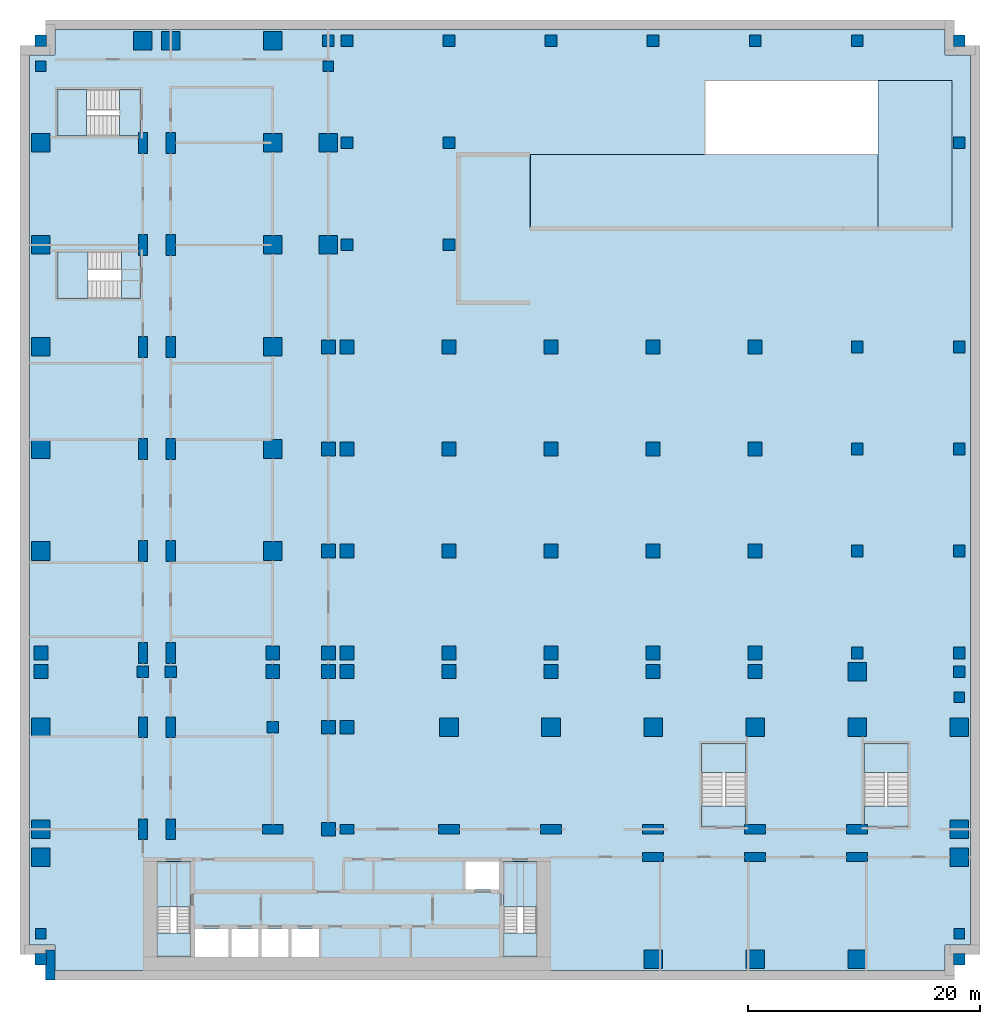
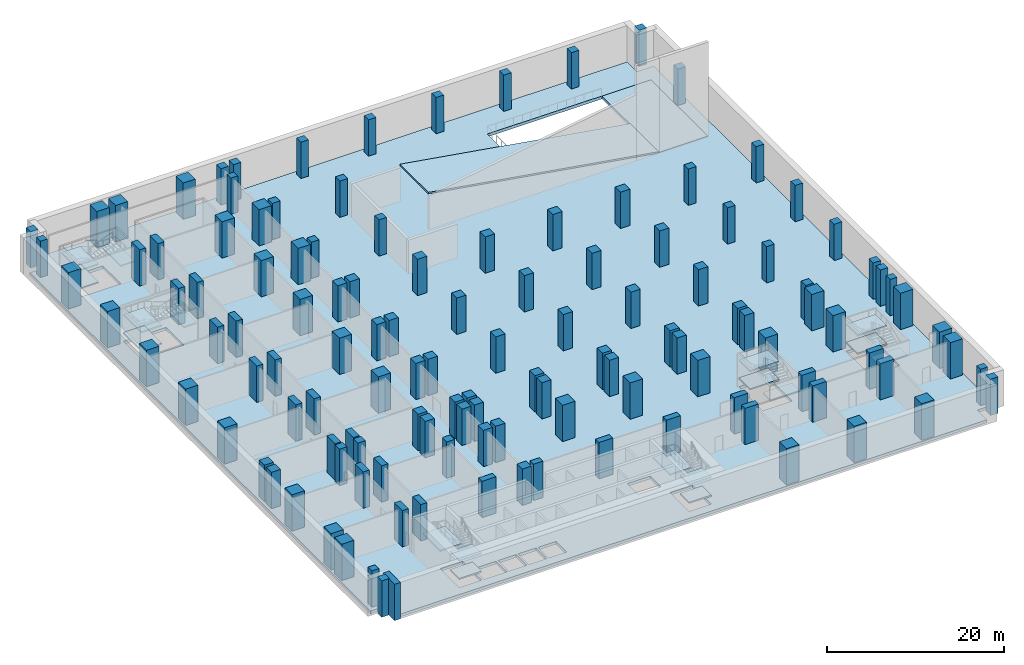
# One storey, part 1 of 12: 126 columns, 21 slabs, 1 wall, 6 elements without a shape of their own.
"""IFC4 building model written with IfcOpenShell, lengths in metres."""

from ifc_helpers import new_model, si_unit, direction, frame, frame_2d, origin, origin_2d, place, context, subcontext, project, spatial, polyline, rectangle, outline, extrude, material, layer, layer_set, material_profile, profile_set, type_object, element, aggregate, save


model = new_model("IFC4")

# Units and contexts
model_context = context("Model", 3, precision=1e-05, world=origin(), true_north=direction((0.0, 1.0)))
body_context = subcontext(model_context, "Body", "Model", "MODEL_VIEW")
ifc_project = project(units=[si_unit("LENGTHUNIT", "METRE"), si_unit("AREAUNIT", "SQUARE_METRE"), si_unit("VOLUMEUNIT", "CUBIC_METRE"), si_unit("PLANEANGLEUNIT", "RADIAN"), si_unit("MASSUNIT", "GRAM", prefix="KILO")], contexts=[model_context])

# Site, building, storey
site_placement = place(None, origin())
site = spatial("IfcSite", under=ifc_project, at=site_placement, CompositionType="ELEMENT")
building_placement = place(site_placement, origin())
building = spatial("IfcBuilding", under=site, at=building_placement, Name="Kemantara Hotel Tower", CompositionType="ELEMENT")
storey_placement = place(building_placement, frame((0.0, 0.0, -12.0)))
storey = spatial("IfcBuildingStorey", under=building, at=storey_placement, Name="B2", CompositionType="ELEMENT", Elevation=-12.0)

# Columns
ifc_material_1 = material(Name="Concrete fc 70 MPa", Category="concrete")
ifc_material_profile_1 = material_profile(ifc_material_1, rectangle(XDim=1.0, YDim=1.0, at=origin_2d()), Name="RC 1000X1000")
ifc_profile_set_1 = profile_set([ifc_material_profile_1], Name="Concrete fc 70 MPa")
column_type_1 = type_object("IfcColumnType", Name="RC COLUMN 1000X1000 FC70", PredefinedType="COLUMN", material=ifc_profile_set_1)
for number, where, z_axis, x_axis, name in (
    (1, (1.0, 1.0, 0.0), (0.0, 0.0, 1.0), (1.0, 0.0, 0.0), "COLUMN 1/A B2"),
    (2, (1.0, 80.199951171875, 0.0), (0.0, 0.0, 1.0), (1.0, 0.0, 0.0), "COLUMN 1/K B2"),
    (3, (9.800048828125, 25.800048828125, 0.0), (0.0, 0.0, 1.0), (1.0, 0.0, 0.0), "COLUMN 2/CA B2"),
    (4, (12.199951171875, 25.800048828125, 0.0), (0.0, 0.0, 1.0), (1.0, 0.0, 0.0), "COLUMN 2A/CA B2"),
    (5, (21.0, 21.0, 0.0), (0.0, 0.0, 1.0), (1.0, 0.0, 0.0), "COLUMN 3/C B2"),
    (6, (25.800048828125, 80.199951171875, 0.0), (0.0, 0.0, 1.0), (1.0, 0.0, 0.0), "COLUMN 3A/K B2"),
    (7, (27.39990234375, 62.60009765625, 0.0), (0.0, 0.0, 1.0), (1.0, 0.0, 0.0), "COLUMN 4/H B2"),
    (8, (27.39990234375, 71.39990234375, 0.0), (0.0, 0.0, 1.0), (1.0, 0.0, 0.0), "COLUMN 4/J B2"),
    (9, (27.39990234375, 80.199951171875, 0.0), (0.0, 0.0, 1.0), (1.0, 0.0, 0.0), "COLUMN 4/K B2"),
    (10, (36.199951171875, 62.60009765625, 0.0), (0.0, 0.0, 1.0), (1.0, 0.0, 0.0), "COLUMN 5/H B2"),
    (11, (36.199951171875, 71.39990234375, 0.0), (0.0, 0.0, 1.0), (1.0, 0.0, 0.0), "COLUMN 5/J B2"),
    (12, (36.199951171875, 80.199951171875, 0.0), (0.0, 0.0, 1.0), (1.0, 0.0, 0.0), "COLUMN 5/K B2"),
    (13, (45.0, 80.199951171875, 0.0), (0.0, 0.0, 1.0), (1.0, 0.0, 0.0), "COLUMN 6/K B2"),
    (14, (53.800048828125, 80.199951171875, 0.0), (0.0, 0.0, 1.0), (1.0, 0.0, 0.0), "COLUMN 7/K B2"),
    (15, (62.60009765625, 80.199951171875, 0.0), (0.0, 0.0, 1.0), (1.0, 0.0, 0.0), "COLUMN 8/K B2"),
    (16, (71.39990234375, 27.39990234375, 0.0), (0.0, 0.0, 1.0), (1.0, 0.0, 0.0), "COLUMN 9/D B2"),
    (17, (71.39990234375, 36.199951171875, 0.0), (0.0, 0.0, 1.0), (1.0, 0.0, 0.0), "COLUMN 9/E B2"),
    (18, (71.39990234375, 45.0, 0.0), (0.0, 0.0, 1.0), (1.0, 0.0, 0.0), "COLUMN 9/F B2"),
    (19, (71.39990234375, 53.800048828125, 0.0), (0.0, 0.0, 1.0), (1.0, 0.0, 0.0), "COLUMN 9/G B2"),
    (20, (71.39990234375, 80.199951171875, 0.0), (0.0, 0.0, 1.0), (1.0, 0.0, 0.0), "COLUMN 9/K B2"),
    (21, (80.199951171875, 1.0, 0.0), (0.0, 0.0, 1.0), (1.0, 0.0, 0.0), "COLUMN 10/A B2"),
    (22, (80.199951171875, 25.800048828125, 0.0), (0.0, 0.0, 1.0), (1.0, 0.0, 0.0), "COLUMN 10/CA B2"),
    (23, (80.199951171875, 27.39990234375, 0.0), (0.0, 0.0, 1.0), (1.0, 0.0, 0.0), "COLUMN 10/D B2"),
    (24, (80.199951171875, 36.199951171875, 0.0), (0.0, 0.0, 1.0), (1.0, 0.0, 0.0), "COLUMN 10/E B2"),
    (25, (80.199951171875, 45.0, 0.0), (0.0, 0.0, 1.0), (1.0, 0.0, 0.0), "COLUMN 10/F B2"),
    (26, (80.199951171875, 53.800048828125, 0.0), (0.0, 0.0, 1.0), (1.0, 0.0, 0.0), "COLUMN 10/G B2"),
    (27, (80.199951171875, 71.39990234375, 0.0), (0.0, 0.0, 1.0), (1.0, 0.0, 0.0), "COLUMN 10/J B2"),
    (28, (80.199951171875, 80.199951171875, 0.0), (0.0, 0.0, 1.0), (1.0, 0.0, 0.0), "COLUMN 10/K B2"),
):
    element("IfcColumn", number, at=place(storey_placement, frame(where, z_axis=z_axis, x_axis=x_axis)), inside=storey, type_object=column_type_1, Name=name, PredefinedType="COLUMN", context=body_context, shape_type="SweptSolid", body=[
        extrude(rectangle(XDim=1.0, YDim=1.0, at=origin_2d()), origin(), (0.0, 0.0, 1.0), 5.0),
    ])
ifc_material_profile_2 = material_profile(ifc_material_1, rectangle(XDim=1.199951171875, YDim=1.199951171875, at=origin_2d()), Name="RC 1200X1200")
ifc_profile_set_2 = profile_set([ifc_material_profile_2], Name="Concrete fc 70 MPa")
column_type_2 = type_object("IfcColumnType", Name="RC COLUMN 1200X1200 FC70", PredefinedType="COLUMN", material=ifc_profile_set_2)
for number, where, z_axis, x_axis, name in (
    (29, (1.0, 25.800048828125, 0.0), (0.0, 0.0, 1.0), (1.0, 0.0, 0.0), "COLUMN 1/CA B2"),
    (30, (1.0, 27.39990234375, 0.0), (0.0, 0.0, 1.0), (1.0, 0.0, 0.0), "COLUMN 1/D B2"),
    (31, (21.0, 25.800048828125, 0.0), (0.0, 0.0, 1.0), (1.0, 0.0, 0.0), "COLUMN 3/CA B2"),
    (32, (21.0, 27.39990234375, 0.0), (0.0, 0.0, 1.0), (1.0, 0.0, 0.0), "COLUMN 3/D B2"),
    (33, (25.800048828125, 12.199951171875, 0.0), (0.0, 0.0, 1.0), (1.0, 0.0, 0.0), "COLUMN 3A/BA B2"),
    (34, (25.800048828125, 21.0, 0.0), (0.0, 0.0, 1.0), (1.0, 0.0, 0.0), "COLUMN 3A/C B2"),
    (35, (25.800048828125, 25.800048828125, 0.0), (0.0, 0.0, 1.0), (1.0, 0.0, 0.0), "COLUMN 3A/CA B2"),
    (36, (25.800048828125, 27.39990234375, 0.0), (0.0, 0.0, 1.0), (1.0, 0.0, 0.0), "COLUMN 3A/D B2"),
    (37, (25.800048828125, 36.199951171875, 0.0), (0.0, 0.0, 1.0), (1.0, 0.0, 0.0), "COLUMN 3A/E B2"),
    (38, (25.800048828125, 45.0, 0.0), (0.0, 0.0, 1.0), (1.0, 0.0, 0.0), "COLUMN 3A/F B2"),
    (39, (25.800048828125, 53.800048828125, 0.0), (0.0, 0.0, 1.0), (1.0, 0.0, 0.0), "COLUMN 3A/G B2"),
    (40, (27.39990234375, 21.0, 0.0), (0.0, 0.0, 1.0), (1.0, 0.0, 0.0), "COLUMN 4/C B2"),
    (41, (27.39990234375, 25.800048828125, 0.0), (0.0, 0.0, 1.0), (1.0, 0.0, 0.0), "COLUMN 4/CA B2"),
    (42, (27.39990234375, 27.39990234375, 0.0), (0.0, 0.0, 1.0), (1.0, 0.0, 0.0), "COLUMN 4/D B2"),
    (43, (27.39990234375, 36.199951171875, 0.0), (0.0, 0.0, 1.0), (1.0, 0.0, 0.0), "COLUMN 4/E B2"),
    (44, (27.39990234375, 45.0, 0.0), (0.0, 0.0, 1.0), (1.0, 0.0, 0.0), "COLUMN 4/F B2"),
    (45, (27.39990234375, 53.800048828125, 0.0), (0.0, 0.0, 1.0), (1.0, 0.0, 0.0), "COLUMN 4/G B2"),
    (46, (36.199951171875, 25.800048828125, 0.0), (0.0, 0.0, 1.0), (1.0, 0.0, 0.0), "COLUMN 5/CA B2"),
    (47, (36.199951171875, 27.39990234375, 0.0), (0.0, 0.0, 1.0), (1.0, 0.0, 0.0), "COLUMN 5/D B2"),
    (48, (36.199951171875, 36.199951171875, 0.0), (0.0, 0.0, 1.0), (1.0, 0.0, 0.0), "COLUMN 5/E B2"),
    (49, (36.199951171875, 45.0, 0.0), (0.0, 0.0, 1.0), (1.0, 0.0, 0.0), "COLUMN 5/F B2"),
    (50, (36.199951171875, 53.800048828125, 0.0), (0.0, 0.0, 1.0), (1.0, 0.0, 0.0), "COLUMN 5/G B2"),
    (51, (45.0, 25.800048828125, 0.0), (0.0, 0.0, 1.0), (1.0, 0.0, 0.0), "COLUMN 6/CA B2"),
    (52, (45.0, 27.39990234375, 0.0), (0.0, 0.0, 1.0), (1.0, 0.0, 0.0), "COLUMN 6/D B2"),
    (53, (45.0, 36.199951171875, 0.0), (0.0, 0.0, 1.0), (1.0, 0.0, 0.0), "COLUMN 6/E B2"),
    (54, (45.0, 45.0, 0.0), (0.0, 0.0, 1.0), (1.0, 0.0, 0.0), "COLUMN 6/F B2"),
    (55, (45.0, 53.800048828125, 0.0), (0.0, 0.0, 1.0), (1.0, 0.0, 0.0), "COLUMN 6/G B2"),
    (56, (53.800048828125, 25.800048828125, 0.0), (0.0, 0.0, 1.0), (1.0, 0.0, 0.0), "COLUMN 7/CA B2"),
    (57, (53.800048828125, 27.39990234375, 0.0), (0.0, 0.0, 1.0), (1.0, 0.0, 0.0), "COLUMN 7/D B2"),
    (58, (53.800048828125, 36.199951171875, 0.0), (0.0, 0.0, 1.0), (1.0, 0.0, 0.0), "COLUMN 7/E B2"),
    (59, (53.800048828125, 45.0, 0.0), (0.0, 0.0, 1.0), (1.0, 0.0, 0.0), "COLUMN 7/F B2"),
    (60, (53.800048828125, 53.800048828125, 0.0), (0.0, 0.0, 1.0), (1.0, 0.0, 0.0), "COLUMN 7/G B2"),
    (61, (62.60009765625, 25.800048828125, 0.0), (0.0, 0.0, 1.0), (1.0, 0.0, 0.0), "COLUMN 8/CA B2"),
    (62, (62.60009765625, 27.39990234375, 0.0), (0.0, 0.0, 1.0), (1.0, 0.0, 0.0), "COLUMN 8/D B2"),
    (63, (62.60009765625, 36.199951171875, 0.0), (0.0, 0.0, 1.0), (1.0, 0.0, 0.0), "COLUMN 8/E B2"),
    (64, (62.60009765625, 45.0, 0.0), (0.0, 0.0, 1.0), (1.0, 0.0, 0.0), "COLUMN 8/F B2"),
    (65, (62.60009765625, 53.800048828125, 0.0), (0.0, 0.0, 1.0), (1.0, 0.0, 0.0), "COLUMN 8/G B2"),
):
    element("IfcColumn", number, at=place(storey_placement, frame(where, z_axis=z_axis, x_axis=x_axis)), inside=storey, type_object=column_type_2, Name=name, PredefinedType="COLUMN", context=body_context, shape_type="SweptSolid", body=[
        extrude(rectangle(XDim=1.199951171875, YDim=1.199951171875, at=origin_2d()), origin(), (0.0, 0.0, 1.0), 5.0),
    ])
ifc_material_profile_3 = material_profile(ifc_material_1, rectangle(XDim=1.199951171875, YDim=0.800048828125, at=origin_2d()), Name="RC 1200X800")
ifc_profile_set_3 = profile_set([ifc_material_profile_3], Name="Concrete fc 70 MPa")
column_type_3 = type_object("IfcColumnType", Name="RC COLUMN 1200X800 FC70", PredefinedType="COLUMN", material=ifc_profile_set_3)
column_placement = place(storey_placement, frame((27.39990234375, 12.199951171875, 0.0), z_axis=(0.0, 0.0, 1.0), x_axis=(1.0, 0.0, 0.0)))
element("IfcColumn", 66, at=column_placement, inside=storey, type_object=column_type_3, Name="COLUMN 4/BA B2", PredefinedType="COLUMN", context=body_context, shape_type="SweptSolid", body=[
    extrude(rectangle(XDim=1.199951171875, YDim=0.800048828125, at=origin_2d()), origin(), (0.0, 0.0, 1.0), 5.0),
])
ifc_material_profile_4 = material_profile(ifc_material_1, rectangle(XDim=1.60009765625, YDim=1.60009765625, at=origin_2d()), Name="RC 1600X1600")
ifc_profile_set_4 = profile_set([ifc_material_profile_4], Name="Concrete fc 70 MPa")
column_type_4 = type_object("IfcColumnType", Name="RC COLUMN 1600X1600 FC70", PredefinedType="COLUMN", material=ifc_profile_set_4)
for number, where, z_axis, x_axis, name in (
    (67, (1.0, 9.800048828125, 0.0), (0.0, 0.0, 1.0), (1.0, 0.0, 0.0), "COLUMN 1/B B2"),
    (68, (1.0, 12.199951171875, 0.0), (0.0, 0.0, 1.0), (1.0, 0.0, 0.0), "COLUMN 1/BA B2"),
    (69, (1.0, 21.0, 0.0), (0.0, 0.0, 1.0), (1.0, 0.0, 0.0), "COLUMN 1/C B2"),
    (70, (1.0, 36.199951171875, 0.0), (0.0, 0.0, 1.0), (1.0, 0.0, 0.0), "COLUMN 1/E B2"),
    (71, (1.0, 45.0, 0.0), (0.0, 0.0, 1.0), (1.0, 0.0, 0.0), "COLUMN 1/F B2"),
    (72, (1.0, 53.800048828125, 0.0), (0.0, 0.0, 1.0), (1.0, 0.0, 0.0), "COLUMN 1/G B2"),
    (73, (1.0, 62.60009765625, 0.0), (0.0, 0.0, 1.0), (1.0, 0.0, 0.0), "COLUMN 1/H B2"),
    (74, (1.0, 71.39990234375, 0.0), (0.0, 0.0, 1.0), (1.0, 0.0, 0.0), "COLUMN 1/J B2"),
    (75, (9.800048828125, 80.199951171875, 0.0), (0.0, 0.0, 1.0), (1.0, 0.0, 0.0), "COLUMN 2/K B2"),
    (76, (12.199951171875, 80.199951171875, 0.0), (0.0, 0.0, 1.0), (1.0, 0.0, 0.0), "COLUMN 2A/K B2"),
    (77, (21.0, 36.199951171875, 0.0), (0.0, 0.0, 1.0), (1.0, 0.0, 0.0), "COLUMN 3/E B2"),
    (78, (21.0, 45.0, 0.0), (0.0, 0.0, 1.0), (1.0, 0.0, 0.0), "COLUMN 3/F B2"),
    (79, (21.0, 53.800048828125, 0.0), (0.0, 0.0, 1.0), (1.0, 0.0, 0.0), "COLUMN 3/G B2"),
    (80, (21.0, 62.60009765625, 0.0), (0.0, 0.0, 1.0), (1.0, 0.0, 0.0), "COLUMN 3/H B2"),
    (81, (21.0, 71.39990234375, 0.0), (0.0, 0.0, 1.0), (1.0, 0.0, 0.0), "COLUMN 3/J B2"),
    (82, (21.0, 80.199951171875, 0.0), (0.0, 0.0, 1.0), (1.0, 0.0, 0.0), "COLUMN 3/K B2"),
    (83, (25.800048828125, 62.60009765625, 0.0), (0.0, 0.0, 1.0), (1.0, 0.0, 0.0), "COLUMN 3A/H B2"),
    (84, (25.800048828125, 71.39990234375, 0.0), (0.0, 0.0, 1.0), (1.0, 0.0, 0.0), "COLUMN 3A/J B2"),
    (85, (36.199951171875, 21.0, 0.0), (0.0, 0.0, 1.0), (1.0, 0.0, 0.0), "COLUMN 5/C B2"),
    (86, (45.0, 21.0, 0.0), (0.0, 0.0, 1.0), (1.0, 0.0, 0.0), "COLUMN 6/C B2"),
    (87, (53.800048828125, 1.0, 0.0), (0.0, 0.0, 1.0), (1.0, 0.0, 0.0), "COLUMN 7/A B2"),
    (88, (53.800048828125, 21.0, 0.0), (0.0, 0.0, 1.0), (1.0, 0.0, 0.0), "COLUMN 7/C B2"),
    (89, (62.60009765625, 1.0, 0.0), (0.0, 0.0, 1.0), (1.0, 0.0, 0.0), "COLUMN 8/A B2"),
    (90, (62.60009765625, 21.0, 0.0), (0.0, 0.0, 1.0), (1.0, 0.0, 0.0), "COLUMN 8/C B2"),
    (91, (71.39990234375, 1.0, 0.0), (0.0, 0.0, 1.0), (1.0, 0.0, 0.0), "COLUMN 9/A B2"),
    (92, (71.39990234375, 21.0, 0.0), (0.0, 0.0, 1.0), (1.0, 0.0, 0.0), "COLUMN 9/C B2"),
    (93, (71.39990234375, 25.800048828125, 0.0), (0.0, 0.0, 1.0), (1.0, 0.0, 0.0), "COLUMN 9/CA B2"),
    (94, (80.199951171875, 9.800048828125, 0.0), (0.0, 0.0, 1.0), (1.0, 0.0, 0.0), "COLUMN 10/B B2"),
    (95, (80.199951171875, 12.199951171875, 0.0), (0.0, 0.0, 1.0), (1.0, 0.0, 0.0), "COLUMN 10/BA B2"),
    (96, (80.199951171875, 21.0, 0.0), (0.0, 0.0, 1.0), (1.0, 0.0, 0.0), "COLUMN 10/C B2"),
):
    element("IfcColumn", number, at=place(storey_placement, frame(where, z_axis=z_axis, x_axis=x_axis)), inside=storey, type_object=column_type_4, Name=name, PredefinedType="COLUMN", context=body_context, shape_type="SweptSolid", body=[
        extrude(rectangle(XDim=1.60009765625, YDim=1.60009765625, at=origin_2d()), origin(), (0.0, 0.0, 1.0), 5.0),
    ])
ifc_material_profile_5 = material_profile(ifc_material_1, rectangle(XDim=1.800048828125, YDim=0.800048828125, at=origin_2d()), Name="RC 1800X800")
ifc_profile_set_5 = profile_set([ifc_material_profile_5], Name="Concrete fc 70 MPa")
column_type_5 = type_object("IfcColumnType", Name="RC COLUMN 1800X800 FC70", PredefinedType="COLUMN", material=ifc_profile_set_5)
for number, where, z_axis, x_axis, name in (
    (97, (9.800048828125, 12.199951171875, 0.0), (0.0, 0.0, 1.0), (0.0, 1.0, 0.0), "COLUMN 2/BA B2"),
    (98, (9.800048828125, 21.0, 0.0), (0.0, 0.0, 1.0), (0.0, 1.0, 0.0), "COLUMN 2/C B2"),
    (99, (9.800048828125, 27.39990234375, 0.0), (0.0, 0.0, 1.0), (0.0, 1.0, 0.0), "COLUMN 2/D B2"),
    (100, (9.800048828125, 36.199951171875, 0.0), (0.0, 0.0, 1.0), (0.0, 1.0, 0.0), "COLUMN 2/E B2"),
    (101, (9.800048828125, 45.0, 0.0), (0.0, 0.0, 1.0), (0.0, 1.0, 0.0), "COLUMN 2/F B2"),
    (102, (9.800048828125, 53.800048828125, 0.0), (0.0, 0.0, 1.0), (0.0, 1.0, 0.0), "COLUMN 2/G B2"),
    (103, (9.800048828125, 62.60009765625, 0.0), (0.0, 0.0, 1.0), (0.0, 1.0, 0.0), "COLUMN 2/H B2"),
    (104, (9.800048828125, 71.39990234375, 0.0), (0.0, 0.0, 1.0), (0.0, 1.0, 0.0), "COLUMN 2/J B2"),
    (105, (12.199951171875, 12.199951171875, 0.0), (0.0, 0.0, 1.0), (0.0, 1.0, 0.0), "COLUMN 2A/BA B2"),
    (106, (12.199951171875, 21.0, 0.0), (0.0, 0.0, 1.0), (0.0, 1.0, 0.0), "COLUMN 2A/C B2"),
    (107, (12.199951171875, 27.39990234375, 0.0), (0.0, 0.0, 1.0), (0.0, 1.0, 0.0), "COLUMN 2A/D B2"),
    (108, (12.199951171875, 36.199951171875, 0.0), (0.0, 0.0, 1.0), (0.0, 1.0, 0.0), "COLUMN 2A/E B2"),
    (109, (12.199951171875, 45.0, 0.0), (0.0, 0.0, 1.0), (0.0, 1.0, 0.0), "COLUMN 2A/F B2"),
    (110, (12.199951171875, 53.800048828125, 0.0), (0.0, 0.0, 1.0), (0.0, 1.0, 0.0), "COLUMN 2A/G B2"),
    (111, (12.199951171875, 62.60009765625, 0.0), (0.0, 0.0, 1.0), (0.0, 1.0, 0.0), "COLUMN 2A/H B2"),
    (112, (12.199951171875, 71.39990234375, 0.0), (0.0, 0.0, 1.0), (0.0, 1.0, 0.0), "COLUMN 2A/J B2"),
    (113, (21.0, 12.199951171875, 0.0), (0.0, 0.0, 1.0), (1.0, 0.0, 0.0), "COLUMN 3/BA B2"),
    (114, (36.199951171875, 12.199951171875, 0.0), (0.0, 0.0, 1.0), (1.0, 0.0, 0.0), "COLUMN 5/BA B2"),
    (115, (45.0, 12.199951171875, 0.0), (0.0, 0.0, 1.0), (1.0, 0.0, 0.0), "COLUMN 6/BA B2"),
    (116, (53.800048828125, 9.800048828125, 0.0), (0.0, 0.0, 1.0), (1.0, 0.0, 0.0), "COLUMN 7/B B2"),
    (117, (53.800048828125, 12.199951171875, 0.0), (0.0, 0.0, 1.0), (1.0, 0.0, 0.0), "COLUMN 7/BA B2"),
    (118, (62.60009765625, 9.800048828125, 0.0), (0.0, 0.0, 1.0), (1.0, 0.0, 0.0), "COLUMN 8/B B2"),
    (119, (62.60009765625, 12.199951171875, 0.0), (0.0, 0.0, 1.0), (1.0, 0.0, 0.0), "COLUMN 8/BA B2"),
    (120, (71.39990234375, 9.800048828125, 0.0), (0.0, 0.0, 1.0), (1.0, 0.0, 0.0), "COLUMN 9/B B2"),
    (121, (71.39990234375, 12.199951171875, 0.0), (0.0, 0.0, 1.0), (1.0, 0.0, 0.0), "COLUMN 9/BA B2"),
):
    element("IfcColumn", number, at=place(storey_placement, frame(where, z_axis=z_axis, x_axis=x_axis)), inside=storey, type_object=column_type_5, Name=name, PredefinedType="COLUMN", context=body_context, shape_type="SweptSolid", body=[
        extrude(rectangle(XDim=1.800048828125, YDim=0.800048828125, at=origin_2d()), origin(), (0.0, 0.0, 1.0), 5.0),
    ])
ifc_material_profile_6 = material_profile(ifc_material_1, rectangle(XDim=0.89990234375, YDim=0.89990234375, at=origin_2d()), Name="RC 900X900")
ifc_profile_set_6 = profile_set([ifc_material_profile_6], Name="Concrete fc 70 MPa")
column_type_6 = type_object("IfcColumnType", Name="RC COLUMN 900X900 FC70", PredefinedType="COLUMN", material=ifc_profile_set_6)
for number, where, z_axis, x_axis, name in (
    (122, (1.0, 3.199951171875, 0.0), (0.0, 0.0, 1.0), (1.0, 0.0, 0.0), "COLUMN notch corner B2"),
    (123, (1.0, 78.0, 0.0), (0.0, 0.0, 1.0), (1.0, 0.0, 0.0), "COLUMN notch corner B2"),
    (124, (25.800048828125, 78.0, 0.0), (0.0, 0.0, 1.0), (1.0, 0.0, 0.0), "COLUMN notch corner B2"),
    (125, (80.199951171875, 3.199951171875, 0.0), (0.0, 0.0, 1.0), (1.0, 0.0, 0.0), "COLUMN notch corner B2"),
    (126, (80.199951171875, 23.60009765625, 0.0), (0.0, 0.0, 1.0), (1.0, 0.0, 0.0), "COLUMN notch corner B2"),
):
    element("IfcColumn", number, at=place(storey_placement, frame(where, z_axis=z_axis, x_axis=x_axis)), inside=storey, type_object=column_type_6, Name=name, PredefinedType="COLUMN", context=body_context, shape_type="SweptSolid", body=[
        extrude(rectangle(XDim=0.89990234375, YDim=0.89990234375, at=origin_2d()), origin(), (0.0, 0.0, 1.0), 5.0),
    ])

# Slabs
ifc_material_2 = material(Name="Concrete fc 40 MPa", Category="concrete")
ifc_layer_1 = layer(ifc_material_2, 0.199951171875)
ifc_layer_set_1 = layer_set([ifc_layer_1], Name="Concrete fc 40 MPa")
slab_type_1 = type_object("IfcSlabType", Name="CAR RAMP SLAB 200", PredefinedType="FLOOR", material=ifc_layer_set_1)
slab_1_placement = place(storey_placement, frame((43.2333984375, 64.0, 5.0), z_axis=(0.161048303818, 0.0, 0.986946525318), x_axis=(0.986946525318, 0.0, -0.161048303818)))
element("IfcSlab", 127, at=slab_1_placement, inside=storey, type_object=slab_type_1, Name="CAR RAMP SLAB", PredefinedType="FLOOR", context=body_context, shape_type="SweptSolid", body=[
    extrude(outline(polyline([(0.0, 0.0), (30.362894002510366, 0.0), (30.362894002510366, 6.39990234375), (0.0, 6.39990234375), (0.0, 0.0)])), origin(), (0.0, 0.0, -1.0), 0.199951171875),
])
ifc_layer_2 = layer(ifc_material_2, 0.35009765625)
ifc_layer_set_2 = layer_set([ifc_layer_2], Name="Concrete fc 40 MPa")
slab_type_2 = type_object("IfcSlabType", Name="RAMP LANDING SLAB 350", PredefinedType="LANDING", material=ifc_layer_set_2)
slab_2_placement = place(storey_placement, frame((0.0, 0.0, -0.35009765625)))
element("IfcSlab", 128, at=slab_2_placement, inside=storey, type_object=slab_type_2, Name="RAMP LANDING", PredefinedType="LANDING", context=body_context, shape_type="SweptSolid", body=[
    extrude(outline(polyline([(73.199951171875, 64.0), (79.60009765625, 64.0), (79.60009765625, 76.800048828125), (73.199951171875, 76.800048828125), (73.199951171875, 64.0)])), origin(), (0.0, 0.0, 1.0), 0.35009765625),
])
ifc_layer_3 = layer(ifc_material_2, 0.39990234375)
ifc_layer_set_3 = layer_set([ifc_layer_3], Name="Concrete fc 40 MPa")
slab_type_3 = type_object("IfcSlabType", Name="REINFORCED DECK SLAB 400", PredefinedType="FLOOR", material=ifc_layer_set_3)
slab_3_placement = place(storey_placement, frame((0.0, 0.0, -0.39990234375)))
element("IfcSlab", 129, at=slab_3_placement, inside=storey, type_object=slab_type_3, Name="FLOOR SLAB B2", PredefinedType="FLOOR", context=body_context, shape_type="SweptSolid", body=[
    extrude(outline(polyline([(81.199951171875, 2.199951171875), (81.199951171875, 79.0), (79.0, 79.0), (79.0, 81.199951171875), (2.199951171875, 81.199951171875), (2.199951171875, 79.0), (0.0, 79.0), (0.0, 2.199951171875), (2.199951171875, 2.199951171875), (2.199951171875, 0.0), (79.0, 0.0), (79.0, 2.199951171875), (81.199951171875, 2.199951171875)]), holes=[polyline([(17.175048828125, 3.60009765625), (17.175048828125, 1.199951171875), (14.22509765625, 1.199951171875), (14.22509765625, 3.60009765625), (17.175048828125, 3.60009765625)]), polyline([(19.77490234375, 1.199951171875), (17.425048828125, 1.199951171875), (17.425048828125, 3.60009765625), (19.77490234375, 3.60009765625), (19.77490234375, 1.199951171875)]), polyline([(22.375, 1.199951171875), (20.02490234375, 1.199951171875), (20.02490234375, 3.60009765625), (22.375, 3.60009765625), (22.375, 1.199951171875)]), polyline([(24.97509765625, 3.60009765625), (24.97509765625, 1.199951171875), (22.625, 1.199951171875), (22.625, 3.60009765625), (24.97509765625, 3.60009765625)]), polyline([(11.0, 1.199951171875), (11.0, 5.49951171875), (13.89990234375, 5.49951171875), (13.89990234375, 1.199951171875), (11.0, 1.199951171875)]), polyline([(2.39990234375, 62.0), (7.949462890625, 62.0), (7.949462890625, 58.0), (2.39990234375, 58.0), (2.39990234375, 62.0)]), polyline([(2.39990234375, 72.0), (2.39990234375, 76.0), (7.79931640625, 76.0), (7.79931640625, 72.0), (2.39990234375, 72.0)]), polyline([(40.89990234375, 1.199951171875), (40.89990234375, 5.49951171875), (43.800048828125, 5.49951171875), (43.800048828125, 1.199951171875), (40.89990234375, 1.199951171875)]), polyline([(40.574951171875, 7.0), (37.625, 7.0), (37.625, 9.39990234375), (40.574951171875, 9.39990234375), (40.574951171875, 7.0)]), polyline([(61.800048828125, 19.60009765625), (61.800048828125, 14.20068359375), (58.0, 14.20068359375), (58.0, 19.60009765625), (61.800048828125, 19.60009765625)]), polyline([(75.800048828125, 19.60009765625), (75.800048828125, 14.20068359375), (72.0, 14.20068359375), (72.0, 19.60009765625), (75.800048828125, 19.60009765625)]), polyline([(73.199951171875, 64.0), (73.199951171875, 70.39990234375), (58.27490234375, 70.39990234375), (58.27490234375, 76.800048828125), (73.199951171875, 76.800048828125), (79.60009765625, 76.800048828125), (79.60009765625, 64.0), (73.199951171875, 64.0)])]), origin(), (0.0, 0.0, 1.0), 0.39990234375),
])

# Stair, slabs
stair_type_1 = type_object("IfcStairType", Name="Stair 1200 wide 36 risers of 139 x 280 mm", PredefinedType="HALF_TURN_STAIR", material=ifc_material_2)
stair_1_placement = place(storey_placement, origin())
stair_1 = element("IfcStair", 130, at=stair_1_placement, inside=storey, type_object=stair_type_1, Name="B2 Exit stair ST1", PredefinedType="HALF_TURN_STAIR")
ifc_layer_4 = layer(ifc_material_2, 0.199951171875)
ifc_layer_set_4 = layer_set([ifc_layer_4], Name="Concrete fc 40 MPa")
slab_type_4 = type_object("IfcSlabType", Name="Stair landing 200 mm", PredefinedType="LANDING", material=ifc_layer_set_4)
slab_4_placement = place(storey_placement, frame((0.0, 0.0, 1.050048828125)))
slab_4 = element("IfcSlab", 131, at=slab_4_placement, type_object=slab_type_4, Name="ST1 landing 1", PredefinedType="LANDING", context=body_context, shape_type="SweptSolid", body=[
    extrude(outline(polyline([(11.0, 3.260009765625), (11.0, 1.199951171875), (13.89990234375, 1.199951171875), (13.89990234375, 3.260009765625), (11.0, 3.260009765625)])), origin(), (0.0, 0.0, 1.0), 0.199951171875),
])
slab_5_placement = place(storey_placement, frame((0.0, 0.0, 2.300048828125)))
slab_5 = element("IfcSlab", 132, at=slab_5_placement, type_object=slab_type_4, Name="ST1 landing 2", PredefinedType="LANDING", context=body_context, shape_type="SweptSolid", body=[
    extrude(outline(polyline([(11.0, 9.39990234375), (11.0, 5.5), (13.89990234375, 5.5), (13.89990234375, 9.39990234375), (11.0, 9.39990234375)])), origin(), (0.0, 0.0, 1.0), 0.199951171875),
])
slab_6_placement = place(storey_placement, frame((0.0, 0.0, 3.550048828125)))
slab_6 = element("IfcSlab", 133, at=slab_6_placement, type_object=slab_type_4, Name="ST1 landing 3", PredefinedType="LANDING", context=body_context, shape_type="SweptSolid", body=[
    extrude(outline(polyline([(11.0, 3.260009765625), (11.0, 1.199951171875), (13.89990234375, 1.199951171875), (13.89990234375, 3.260009765625), (11.0, 3.260009765625)])), origin(), (0.0, 0.0, 1.0), 0.199951171875),
])
aggregate(stair_1, [slab_4, slab_5, slab_6])

stair_2_placement = place(storey_placement, origin())
stair_2 = element("IfcStair", 134, at=stair_2_placement, inside=storey, type_object=stair_type_1, Name="B2 Exit stair ST2", PredefinedType="HALF_TURN_STAIR")
slab_7_placement = place(storey_placement, frame((0.0, 0.0, 1.050048828125)))
slab_7 = element("IfcSlab", 135, at=slab_7_placement, type_object=slab_type_4, Name="ST2 landing 1", PredefinedType="LANDING", context=body_context, shape_type="SweptSolid", body=[
    extrude(outline(polyline([(40.89990234375, 3.260009765625), (40.89990234375, 1.199951171875), (43.800048828125, 1.199951171875), (43.800048828125, 3.260009765625), (40.89990234375, 3.260009765625)])), origin(), (0.0, 0.0, 1.0), 0.199951171875),
])
slab_8_placement = place(storey_placement, frame((0.0, 0.0, 2.300048828125)))
slab_8 = element("IfcSlab", 136, at=slab_8_placement, type_object=slab_type_4, Name="ST2 landing 2", PredefinedType="LANDING", context=body_context, shape_type="SweptSolid", body=[
    extrude(outline(polyline([(40.89990234375, 9.39990234375), (40.89990234375, 5.5), (43.800048828125, 5.5), (43.800048828125, 9.39990234375), (40.89990234375, 9.39990234375)])), origin(), (0.0, 0.0, 1.0), 0.199951171875),
])
slab_9_placement = place(storey_placement, frame((0.0, 0.0, 3.550048828125)))
slab_9 = element("IfcSlab", 137, at=slab_9_placement, type_object=slab_type_4, Name="ST2 landing 3", PredefinedType="LANDING", context=body_context, shape_type="SweptSolid", body=[
    extrude(outline(polyline([(40.89990234375, 3.260009765625), (40.89990234375, 1.199951171875), (43.800048828125, 1.199951171875), (43.800048828125, 3.260009765625), (40.89990234375, 3.260009765625)])), origin(), (0.0, 0.0, 1.0), 0.199951171875),
])
aggregate(stair_2, [slab_7, slab_8, slab_9])

stair_type_2 = type_object("IfcStairType", Name="Stair 1800 wide 36 risers of 139 x 360 mm", PredefinedType="HALF_TURN_STAIR", material=ifc_material_2)
stair_3_placement = place(storey_placement, origin())
stair_3 = element("IfcStair", 138, at=stair_3_placement, inside=storey, type_object=stair_type_2, Name="B2 Exit stair ST3", PredefinedType="HALF_TURN_STAIR")
slab_10_placement = place(storey_placement, frame((0.0, 0.0, 1.050048828125)))
slab_10 = element("IfcSlab", 139, at=slab_10_placement, type_object=slab_type_4, Name="ST3 landing 1", PredefinedType="LANDING", context=body_context, shape_type="SweptSolid", body=[
    extrude(outline(polyline([(61.800048828125, 17.080078125), (61.800048828125, 19.60009765625), (58.0, 19.60009765625), (58.0, 17.080078125), (61.800048828125, 17.080078125)])), origin(), (0.0, 0.0, 1.0), 0.199951171875),
])
slab_11_placement = place(storey_placement, frame((0.0, 0.0, 2.300048828125)))
slab_11 = element("IfcSlab", 140, at=slab_11_placement, type_object=slab_type_4, Name="ST3 landing 2", PredefinedType="LANDING", context=body_context, shape_type="SweptSolid", body=[
    extrude(outline(polyline([(61.800048828125, 12.39990234375), (61.800048828125, 14.199951171875), (58.0, 14.199951171875), (58.0, 12.39990234375), (61.800048828125, 12.39990234375)])), origin(), (0.0, 0.0, 1.0), 0.199951171875),
])
slab_12_placement = place(storey_placement, frame((0.0, 0.0, 3.550048828125)))
slab_12 = element("IfcSlab", 141, at=slab_12_placement, type_object=slab_type_4, Name="ST3 landing 3", PredefinedType="LANDING", context=body_context, shape_type="SweptSolid", body=[
    extrude(outline(polyline([(61.800048828125, 17.080078125), (61.800048828125, 19.60009765625), (58.0, 19.60009765625), (58.0, 17.080078125), (61.800048828125, 17.080078125)])), origin(), (0.0, 0.0, 1.0), 0.199951171875),
])
aggregate(stair_3, [slab_10, slab_11, slab_12])

stair_type_3 = type_object("IfcStairType", Name="Stair 1550 wide 36 risers of 139 x 360 mm", PredefinedType="HALF_TURN_STAIR", material=ifc_material_2)
stair_4_placement = place(storey_placement, origin())
stair_4 = element("IfcStair", 142, at=stair_4_placement, inside=storey, type_object=stair_type_3, Name="B2 Exit stair ST4", PredefinedType="HALF_TURN_STAIR")
slab_13_placement = place(storey_placement, frame((0.0, 0.0, 1.050048828125)))
slab_13 = element("IfcSlab", 143, at=slab_13_placement, type_object=slab_type_4, Name="ST4 landing 1", PredefinedType="LANDING", context=body_context, shape_type="SweptSolid", body=[
    extrude(outline(polyline([(5.070068359375, 62.0), (2.39990234375, 62.0), (2.39990234375, 58.0), (5.070068359375, 58.0), (5.070068359375, 62.0)])), origin(), (0.0, 0.0, 1.0), 0.199951171875),
])
slab_14_placement = place(storey_placement, frame((0.0, 0.0, 2.300048828125)))
slab_14 = element("IfcSlab", 144, at=slab_14_placement, type_object=slab_type_4, Name="ST4 landing 2", PredefinedType="LANDING", context=body_context, shape_type="SweptSolid", body=[
    extrude(outline(polyline([(9.60009765625, 62.0), (7.949951171875, 62.0), (7.949951171875, 58.0), (9.60009765625, 58.0), (9.60009765625, 62.0)])), origin(), (0.0, 0.0, 1.0), 0.199951171875),
])
slab_15_placement = place(storey_placement, frame((0.0, 0.0, 3.550048828125)))
slab_15 = element("IfcSlab", 145, at=slab_15_placement, type_object=slab_type_4, Name="ST4 landing 3", PredefinedType="LANDING", context=body_context, shape_type="SweptSolid", body=[
    extrude(outline(polyline([(5.070068359375, 62.0), (2.39990234375, 62.0), (2.39990234375, 58.0), (5.070068359375, 58.0), (5.070068359375, 62.0)])), origin(), (0.0, 0.0, 1.0), 0.199951171875),
])
aggregate(stair_4, [slab_13, slab_14, slab_15])

stair_5_placement = place(storey_placement, origin())
stair_5 = element("IfcStair", 146, at=stair_5_placement, inside=storey, type_object=stair_type_2, Name="B2 Exit stair ST5", PredefinedType="HALF_TURN_STAIR")
slab_16_placement = place(storey_placement, frame((0.0, 0.0, 1.050048828125)))
slab_16 = element("IfcSlab", 147, at=slab_16_placement, type_object=slab_type_4, Name="ST5 landing 1", PredefinedType="LANDING", context=body_context, shape_type="SweptSolid", body=[
    extrude(outline(polyline([(75.800048828125, 17.080078125), (75.800048828125, 19.60009765625), (72.0, 19.60009765625), (72.0, 17.080078125), (75.800048828125, 17.080078125)])), origin(), (0.0, 0.0, 1.0), 0.199951171875),
])
slab_17_placement = place(storey_placement, frame((0.0, 0.0, 2.300048828125)))
slab_17 = element("IfcSlab", 148, at=slab_17_placement, type_object=slab_type_4, Name="ST5 landing 2", PredefinedType="LANDING", context=body_context, shape_type="SweptSolid", body=[
    extrude(outline(polyline([(75.800048828125, 12.39990234375), (75.800048828125, 14.199951171875), (72.0, 14.199951171875), (72.0, 12.39990234375), (75.800048828125, 12.39990234375)])), origin(), (0.0, 0.0, 1.0), 0.199951171875),
])
slab_18_placement = place(storey_placement, frame((0.0, 0.0, 3.550048828125)))
slab_18 = element("IfcSlab", 149, at=slab_18_placement, type_object=slab_type_4, Name="ST5 landing 3", PredefinedType="LANDING", context=body_context, shape_type="SweptSolid", body=[
    extrude(outline(polyline([(75.800048828125, 17.080078125), (75.800048828125, 19.60009765625), (72.0, 19.60009765625), (72.0, 17.080078125), (75.800048828125, 17.080078125)])), origin(), (0.0, 0.0, 1.0), 0.199951171875),
])
aggregate(stair_5, [slab_16, slab_17, slab_18])

stair_6_placement = place(storey_placement, origin())
stair_6 = element("IfcStair", 150, at=stair_6_placement, inside=storey, type_object=stair_type_2, Name="B2 Exit stair ST6", PredefinedType="HALF_TURN_STAIR")
slab_19_placement = place(storey_placement, frame((0.0, 0.0, 1.050048828125)))
slab_19 = element("IfcSlab", 151, at=slab_19_placement, type_object=slab_type_4, Name="ST6 landing 1", PredefinedType="LANDING", context=body_context, shape_type="SweptSolid", body=[
    extrude(outline(polyline([(4.919921875, 76.0), (2.39990234375, 76.0), (2.39990234375, 72.0), (4.919921875, 72.0), (4.919921875, 76.0)])), origin(), (0.0, 0.0, 1.0), 0.199951171875),
])
slab_20_placement = place(storey_placement, frame((0.0, 0.0, 2.300048828125)))
slab_20 = element("IfcSlab", 152, at=slab_20_placement, type_object=slab_type_4, Name="ST6 landing 2", PredefinedType="LANDING", context=body_context, shape_type="SweptSolid", body=[
    extrude(outline(polyline([(9.60009765625, 76.0), (7.800048828125, 76.0), (7.800048828125, 72.0), (9.60009765625, 72.0), (9.60009765625, 76.0)])), origin(), (0.0, 0.0, 1.0), 0.199951171875),
])
slab_21_placement = place(storey_placement, frame((0.0, 0.0, 3.550048828125)))
slab_21 = element("IfcSlab", 153, at=slab_21_placement, type_object=slab_type_4, Name="ST6 landing 3", PredefinedType="LANDING", context=body_context, shape_type="SweptSolid", body=[
    extrude(outline(polyline([(4.919921875, 76.0), (2.39990234375, 76.0), (2.39990234375, 72.0), (4.919921875, 72.0), (4.919921875, 76.0)])), origin(), (0.0, 0.0, 1.0), 0.199951171875),
])
aggregate(stair_6, [slab_19, slab_20, slab_21])

# Wall
ifc_layer_5 = layer(ifc_material_2, 0.800048828125)
ifc_layer_set_5 = layer_set([ifc_layer_5], Name="Concrete fc 40 MPa")
wall_type = type_object("IfcWallType", Name="BASEMENT PERIMETER WALL 800 FC40", PredefinedType="SHEAR", material=ifc_layer_set_5)
wall_placement = place(storey_placement, frame((1.800048828125, -0.800048828125, 0.0), z_axis=(0.0, 0.0, 1.0), x_axis=(0.0, 1.0, 0.0)))
element("IfcWall", 154, at=wall_placement, inside=storey, type_object=wall_type, Name="BASEMENT PERIMETER WALL B2 5", PredefinedType="SHEAR", context=body_context, shape_type="SweptSolid", body=[
    extrude(rectangle(XDim=2.60009765625, YDim=0.800048828125, at=frame_2d((1.300048828125, 0.0))), origin(), (0.0, 0.0, 1.0), 5.0),
])

save(model, "model.ifc")
